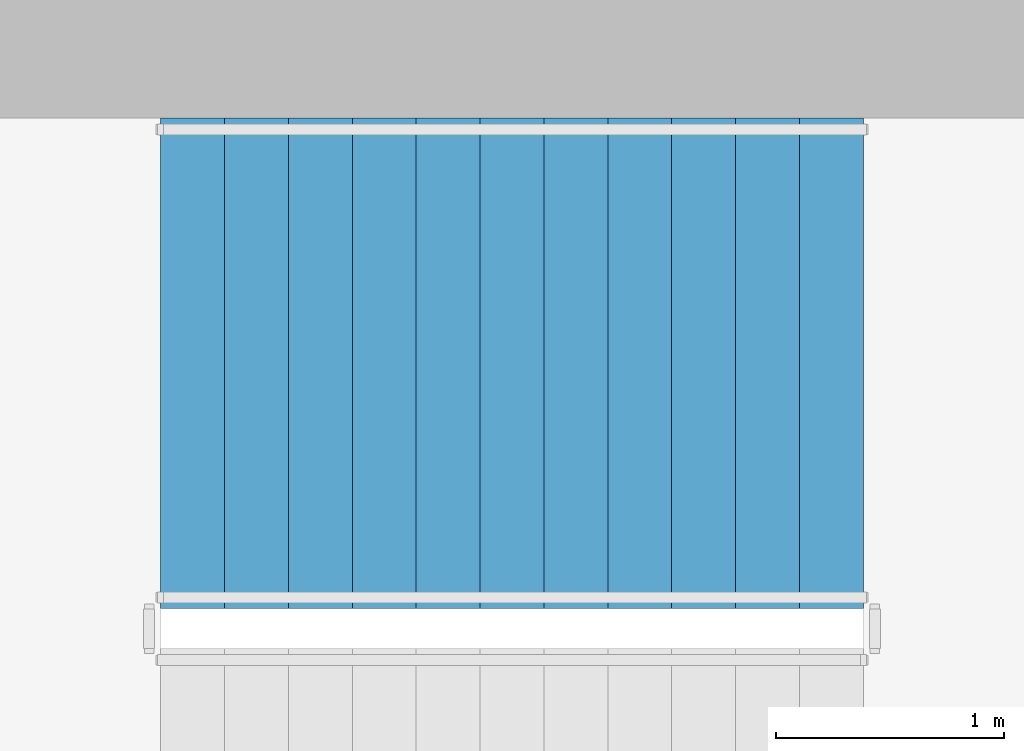
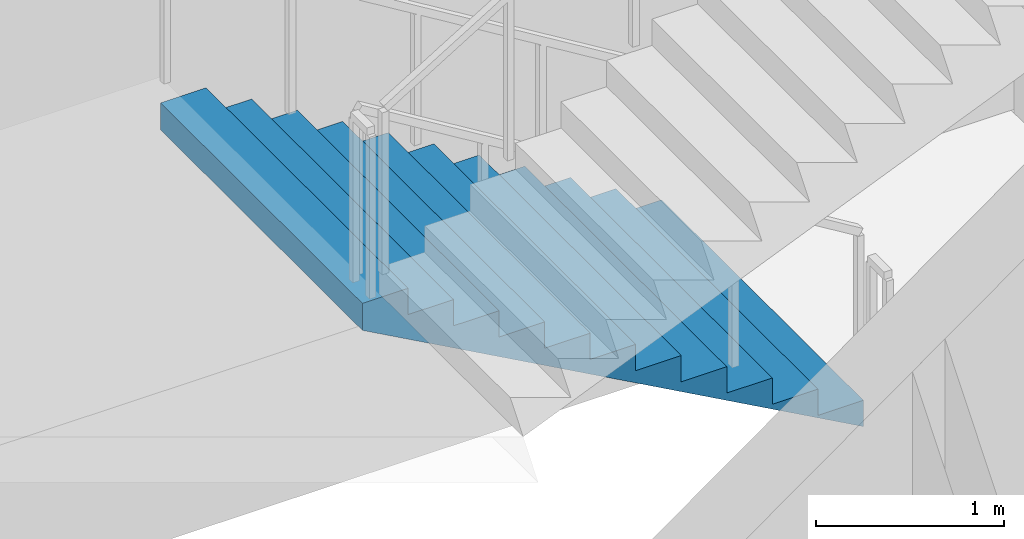
# One storey, part 9 of 14: 1 stair flight, 1 element without a shape of its own.
"""IFC4 building model written with IfcOpenShell, lengths in metres."""

from ifc_helpers import new_model, si_unit, direction, frame, origin, place, context, subcontext, project, spatial, triangles, material, type_object, element, aggregate, save


model = new_model("IFC4")

# Units and contexts
model_context = context("Model", 3, precision=1e-05, world=origin(), true_north=direction((0.0, 1.0)))
body_context = subcontext(model_context, "Body", "Model", "MODEL_VIEW")
ifc_project = project(units=[si_unit("LENGTHUNIT", "METRE"), si_unit("AREAUNIT", "SQUARE_METRE"), si_unit("VOLUMEUNIT", "CUBIC_METRE"), si_unit("PLANEANGLEUNIT", "RADIAN"), si_unit("MASSUNIT", "GRAM", prefix="KILO")], contexts=[model_context])

# Site, building, storey
site_placement = place(None, origin())
site = spatial("IfcSite", under=ifc_project, at=site_placement, CompositionType="ELEMENT")
building_placement = place(site_placement, origin())
building = spatial("IfcBuilding", under=site, at=building_placement, Name="Cypress Arch Tower", CompositionType="ELEMENT")
storey_placement = place(building_placement, frame((0.0, 0.0, 201.5)))
storey = spatial("IfcBuildingStorey", under=building, at=storey_placement, Name="L44", CompositionType="ELEMENT", Elevation=201.5)

# Stair, stair flight
ifc_material_1 = material(Name="Concrete C40/50", Category="concrete")
stair_type = type_object("IfcStairType", Name="Exit stair ES1708-215", PredefinedType="HALF_TURN_STAIR", material=ifc_material_1)
stair_placement = place(storey_placement, origin())
stair = element("IfcStair", 1, at=stair_placement, inside=storey, type_object=stair_type, Name="L44 Exit stair B", PredefinedType="HALF_TURN_STAIR")
ifc_material_2 = material(Name="Concrete C40/50", Category="concrete")
stair_flight_type = type_object("IfcStairFlightType", Name="Exit stair flight ES1708-215", PredefinedType="STRAIGHT", material=ifc_material_2)
stair_flight_placement = place(storey_placement, frame((-22.27490234375, 13.72509765625, 0.0), z_axis=(0.0, 0.0, 1.0), x_axis=(-1.0, 0.0, 0.0)))
stair_flight = element("IfcStairFlight", 2, at=stair_flight_placement, type_object=stair_flight_type, Name="B flight 1", NumberOfRisers=12, NumberOfTreads=11, PredefinedType="STRAIGHT", RiserHeight=0.170833333, TreadLength=0.28, context=body_context, shape_type="Tessellation", body=[
    triangles([(0.0, -1.074951171875, 0.0), (0.000244140625, -1.074951171875, 0.01904296875), (0.000244140625, -1.074951171875, 0.0380859375), (0.00048828125, -1.074951171875, 0.056884765625), (0.00048828125, -1.074951171875, 0.075927734375), (0.00048828125, -1.074951171875, 0.094970703125), (0.00048828125, -1.074951171875, 0.114013671875), (0.000244140625, -1.074951171875, 0.1328125), (0.000244140625, -1.074951171875, 0.15185546875), (0.0, -1.074951171875, 0.1708984375), (0.280029296875, -1.074951171875, 0.1708984375), (0.280029296875, -1.074951171875, 0.341552734375), (0.56005859375, -1.074951171875, 0.341552734375), (0.56005859375, -1.074951171875, 0.512451171875), (0.840087890625, -1.074951171875, 0.512451171875), (0.840087890625, -1.074951171875, 0.683349609375), (1.1201171875, -1.074951171875, 0.683349609375), (1.1201171875, -1.074951171875, 0.854248046875), (1.39990234375, -1.074951171875, 0.854248046875), (1.39990234375, -1.074951171875, 1.02490234375), (1.679931640625, -1.074951171875, 1.02490234375), (1.679931640625, -1.074951171875, 1.19580078125), (1.9599609375, -1.074951171875, 1.19580078125), (1.9599609375, -1.074951171875, 1.36669921875), (2.239990234375, -1.074951171875, 1.36669921875), (2.239990234375, -1.074951171875, 1.53759765625), (2.52001953125, -1.074951171875, 1.53759765625), (2.52001953125, -1.074951171875, 1.708251953125), (2.800048828125, -1.074951171875, 1.708251953125), (2.800048828125, -1.074951171875, 1.879150390625), (3.080078125, -1.074951171875, 1.879150390625), (3.079833984375, -1.074951171875, 1.859619140625), (3.079833984375, -1.074951171875, 1.840087890625), (3.07958984375, -1.074951171875, 1.820556640625), (3.07958984375, -1.074951171875, 1.801025390625), (3.07958984375, -1.074951171875, 1.78173828125), (3.07958984375, -1.074951171875, 1.76220703125), (3.079833984375, -1.074951171875, 1.74267578125), (3.079833984375, -1.074951171875, 1.72314453125), (3.080078125, -1.074951171875, 1.70361328125), (3.080078125, 1.074951171875, 1.70361328125), (3.079833984375, 1.074951171875, 1.72314453125), (3.079833984375, 1.074951171875, 1.74267578125), (3.07958984375, 1.074951171875, 1.76220703125), (3.07958984375, 1.074951171875, 1.78173828125), (3.07958984375, 1.074951171875, 1.801025390625), (3.07958984375, 1.074951171875, 1.820556640625), (3.079833984375, 1.074951171875, 1.840087890625), (3.079833984375, 1.074951171875, 1.859619140625), (3.080078125, 1.074951171875, 1.879150390625), (2.800048828125, 1.074951171875, 1.879150390625), (2.800048828125, 1.074951171875, 1.708251953125), (2.52001953125, 1.074951171875, 1.708251953125), (2.52001953125, 1.074951171875, 1.53759765625), (2.239990234375, 1.074951171875, 1.53759765625), (2.239990234375, 1.074951171875, 1.36669921875), (1.9599609375, 1.074951171875, 1.36669921875), (1.9599609375, 1.074951171875, 1.19580078125), (1.679931640625, 1.074951171875, 1.19580078125), (1.679931640625, 1.074951171875, 1.02490234375), (1.39990234375, 1.074951171875, 1.02490234375), (1.39990234375, 1.074951171875, 0.854248046875), (1.1201171875, 1.074951171875, 0.854248046875), (1.1201171875, 1.074951171875, 0.683349609375), (0.840087890625, 1.074951171875, 0.683349609375), (0.840087890625, 1.074951171875, 0.512451171875), (0.56005859375, 1.074951171875, 0.512451171875), (0.56005859375, 1.074951171875, 0.341552734375), (0.280029296875, 1.074951171875, 0.341552734375), (0.280029296875, 1.074951171875, 0.1708984375), (0.0, 1.074951171875, 0.1708984375), (0.000244140625, 1.074951171875, 0.15185546875), (0.000244140625, 1.074951171875, 0.1328125), (0.00048828125, 1.074951171875, 0.114013671875), (0.00048828125, 1.074951171875, 0.094970703125), (0.00048828125, 1.074951171875, 0.075927734375), (0.00048828125, 1.074951171875, 0.056884765625), (0.000244140625, 1.074951171875, 0.0380859375), (0.000244140625, 1.074951171875, 0.01904296875), (0.0, 1.074951171875, 0.0)], [[40, 39, 30], [39, 38, 30], [38, 37, 30], [37, 36, 30], [36, 35, 30], [35, 34, 30], [34, 33, 30], [33, 32, 30], [32, 31, 30], [19, 18, 17], [27, 26, 25], [25, 24, 23], [23, 22, 21], [17, 16, 15], [15, 14, 13], [10, 9, 11], [9, 8, 11], [8, 7, 11], [7, 6, 11], [6, 5, 11], [5, 4, 11], [4, 3, 11], [3, 2, 11], [2, 1, 11], [29, 28, 27], [21, 20, 19], [13, 12, 11], [40, 30, 29], [40, 29, 27], [40, 27, 25], [40, 25, 23], [40, 23, 21], [40, 21, 19], [40, 19, 17], [40, 17, 15], [40, 15, 13], [1, 40, 13], [13, 11, 1], [41, 51, 42], [42, 51, 43], [43, 51, 44], [44, 51, 45], [45, 51, 46], [46, 51, 47], [47, 51, 48], [48, 51, 49], [49, 51, 50], [62, 64, 63], [54, 56, 55], [56, 58, 57], [58, 60, 59], [64, 66, 65], [66, 68, 67], [71, 70, 72], [72, 70, 73], [73, 70, 74], [74, 70, 75], [75, 70, 76], [76, 70, 77], [77, 70, 78], [78, 70, 79], [79, 70, 80], [52, 54, 53], [60, 62, 61], [68, 70, 69], [41, 52, 51], [41, 54, 52], [41, 56, 54], [41, 58, 56], [41, 60, 58], [41, 62, 60], [41, 64, 62], [41, 66, 64], [41, 68, 66], [80, 68, 41], [68, 80, 70], [41, 42, 39], [41, 39, 40], [42, 43, 38], [42, 38, 39], [43, 44, 37], [43, 37, 38], [44, 45, 36], [44, 36, 37], [45, 46, 35], [45, 35, 36], [46, 47, 34], [46, 34, 35], [47, 48, 33], [47, 33, 34], [48, 49, 32], [48, 32, 33], [49, 50, 31], [49, 31, 32], [50, 51, 30], [50, 30, 31], [51, 52, 29], [51, 29, 30], [52, 53, 28], [52, 28, 29], [53, 54, 27], [53, 27, 28], [54, 55, 26], [54, 26, 27], [55, 56, 25], [55, 25, 26], [56, 57, 24], [56, 24, 25], [57, 58, 23], [57, 23, 24], [58, 59, 22], [58, 22, 23], [59, 60, 21], [59, 21, 22], [60, 61, 20], [60, 20, 21], [61, 62, 19], [61, 19, 20], [62, 63, 18], [62, 18, 19], [63, 64, 17], [63, 17, 18], [64, 65, 16], [64, 16, 17], [65, 66, 15], [65, 15, 16], [66, 67, 14], [66, 14, 15], [67, 68, 13], [67, 13, 14], [68, 69, 12], [68, 12, 13], [69, 70, 11], [69, 11, 12], [70, 71, 10], [70, 10, 11], [71, 72, 9], [71, 9, 10], [72, 73, 8], [72, 8, 9], [73, 74, 7], [73, 7, 8], [74, 75, 6], [74, 6, 7], [75, 76, 5], [75, 5, 6], [76, 77, 4], [76, 4, 5], [77, 78, 3], [77, 3, 4], [78, 79, 2], [78, 2, 3], [79, 80, 1], [79, 1, 2], [80, 41, 40], [80, 40, 1]], closed=True),
])
aggregate(stair, [stair_flight])

save(model, "model.ifc")
